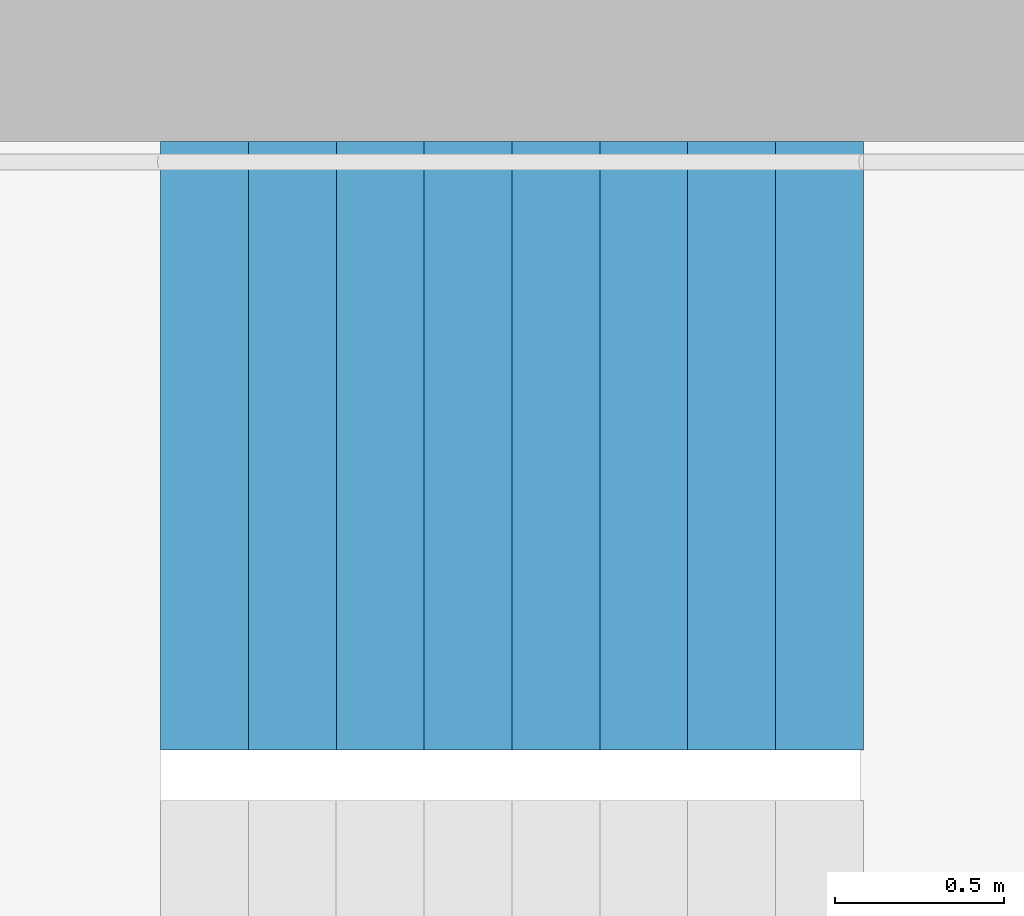
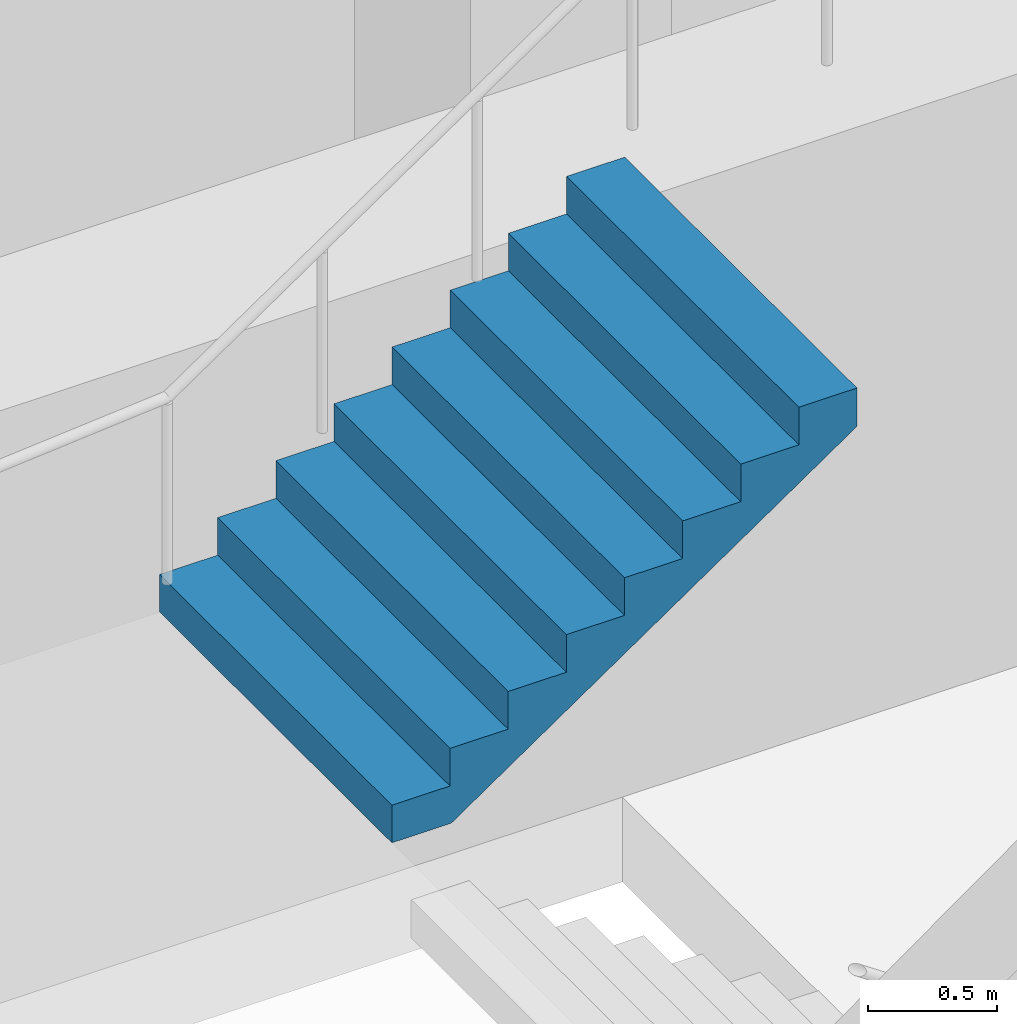
# One storey, part 26 of 33: 1 stair flight, 1 element without a shape of its own.
"""IFC4 building model written with IfcOpenShell, lengths in metres."""

from ifc_helpers import new_model, si_unit, direction, frame, origin, place, context, subcontext, project, spatial, triangles, material, type_object, element, aggregate, save


model = new_model("IFC4")

# Units and contexts
model_context = context("Model", 3, precision=1e-05, world=origin(), true_north=direction((0.0, 1.0)))
body_context = subcontext(model_context, "Body", "Model", "MODEL_VIEW")
ifc_project = project(units=[si_unit("LENGTHUNIT", "METRE"), si_unit("AREAUNIT", "SQUARE_METRE"), si_unit("VOLUMEUNIT", "CUBIC_METRE"), si_unit("PLANEANGLEUNIT", "RADIAN"), si_unit("MASSUNIT", "GRAM", prefix="KILO")], contexts=[model_context])

# Site, building, storey
site_placement = place(None, origin())
site = spatial("IfcSite", under=ifc_project, at=site_placement, CompositionType="ELEMENT")
building_placement = place(site_placement, origin())
building = spatial("IfcBuilding", under=site, at=building_placement, Name="Hakoniwa Tower and Hamabe Station Hall", CompositionType="ELEMENT")
storey_placement = place(building_placement, frame((0.0, 0.0, 81.800048828125)))
storey = spatial("IfcBuildingStorey", under=building, at=storey_placement, Name="L22", CompositionType="ELEMENT", Elevation=81.800048828125)

# Stair, stair flight
ifc_material_1 = material(Name="Concrete C40", Category="concrete")
stair_type = type_object("IfcStairType", Name="ESCAPE STAIR 1800", PredefinedType="HALF_TURN_STAIR", material=ifc_material_1)
stair_placement = place(storey_placement, origin())
stair = element("IfcStair", 1, at=stair_placement, inside=storey, type_object=stair_type, Name="Escape stair ST-3 L22", PredefinedType="HALF_TURN_STAIR")
ifc_material_2 = material(Name="Concrete C40", Category="concrete")
stair_flight_type = type_object("IfcStairFlightType", Name="STAIR FLIGHT 1800", PredefinedType="STRAIGHT", material=ifc_material_2)
stair_flight_placement = place(storey_placement, frame((22.320068359375, 6.60009765625, 1.599853515625), z_axis=(0.0, 0.0, 1.0), x_axis=(1.0, 0.0, 0.0)))
stair_flight = element("IfcStairFlight", 2, at=stair_flight_placement, type_object=stair_flight_type, Name="ST-3 flight 2", NumberOfRisers=9, NumberOfTreads=8, PredefinedType="STRAIGHT", RiserHeight=0.177777778, TreadLength=0.26, context=body_context, shape_type="Tessellation", body=[
    triangles([(0.0, 0.89990234375, 0.0), (0.260009765625, 0.89990234375, 0.0), (0.265625, 0.89990234375, 0.0), (0.52001953125, 0.89990234375, 0.174072265625), (0.780029296875, 0.89990234375, 0.351806640625), (1.0400390625, 0.89990234375, 0.529541015625), (1.300048828125, 0.89990234375, 0.707275390625), (1.56005859375, 0.89990234375, 0.885009765625), (1.820068359375, 0.89990234375, 1.062744140625), (2.080078125, 0.89990234375, 1.24072265625), (2.080078125, 0.89990234375, 1.422119140625), (1.820068359375, 0.89990234375, 1.422119140625), (1.820068359375, 0.89990234375, 1.244384765625), (1.56005859375, 0.89990234375, 1.244384765625), (1.56005859375, 0.89990234375, 1.066650390625), (1.300048828125, 0.89990234375, 1.066650390625), (1.300048828125, 0.89990234375, 0.888916015625), (1.0400390625, 0.89990234375, 0.888916015625), (1.0400390625, 0.89990234375, 0.711181640625), (0.780029296875, 0.89990234375, 0.711181640625), (0.780029296875, 0.89990234375, 0.533447265625), (0.52001953125, 0.89990234375, 0.533447265625), (0.52001953125, 0.89990234375, 0.35546875), (0.265625, 0.89990234375, 0.35546875), (0.260009765625, 0.89990234375, 0.35546875), (0.260009765625, 0.89990234375, 0.177734375), (0.0, 0.89990234375, 0.177734375), (0.0, 0.06005859375, 0.0), (0.260009765625, 0.06005859375, 0.0), (0.265625, 0.06005859375, 0.0), (0.52001953125, 0.06005859375, 0.174072265625), (0.780029296875, 0.06005859375, 0.351806640625), (1.0400390625, 0.06005859375, 0.529541015625), (1.300048828125, 0.06005859375, 0.707275390625), (1.56005859375, 0.06005859375, 0.885009765625), (1.820068359375, 0.06005859375, 1.062744140625), (2.080078125, 0.06005859375, 1.24072265625), (2.080078125, 0.06005859375, 1.422119140625), (1.820068359375, 0.06005859375, 1.422119140625), (1.820068359375, 0.06005859375, 1.244384765625), (1.56005859375, 0.06005859375, 1.244384765625), (1.56005859375, 0.06005859375, 1.066650390625), (1.300048828125, 0.06005859375, 1.066650390625), (1.300048828125, 0.06005859375, 0.888916015625), (1.0400390625, 0.06005859375, 0.888916015625), (1.0400390625, 0.06005859375, 0.711181640625), (0.780029296875, 0.06005859375, 0.711181640625), (0.780029296875, 0.06005859375, 0.533447265625), (0.52001953125, 0.06005859375, 0.533447265625), (0.52001953125, 0.06005859375, 0.35546875), (0.265625, 0.06005859375, 0.35546875), (0.260009765625, 0.06005859375, 0.35546875), (0.260009765625, 0.06005859375, 0.177734375), (0.0, 0.06005859375, 0.177734375), (0.0, 0.04296875, 0.0), (0.260009765625, 0.04296875, 0.0), (0.265625, 0.04296875, 0.0), (0.52001953125, 0.04296875, 0.174072265625), (0.780029296875, 0.04296875, 0.351806640625), (1.0400390625, 0.04296875, 0.529541015625), (1.300048828125, 0.04296875, 0.707275390625), (1.56005859375, 0.04296875, 0.885009765625), (1.820068359375, 0.04296875, 1.062744140625), (2.080078125, 0.04296875, 1.24072265625), (2.080078125, 0.04296875, 1.422119140625), (1.820068359375, 0.04296875, 1.422119140625), (1.820068359375, 0.04296875, 1.244384765625), (1.56005859375, 0.04296875, 1.244384765625), (1.56005859375, 0.04296875, 1.066650390625), (1.300048828125, 0.04296875, 1.066650390625), (1.300048828125, 0.04296875, 0.888916015625), (1.0400390625, 0.04296875, 0.888916015625), (1.0400390625, 0.04296875, 0.711181640625), (0.780029296875, 0.04296875, 0.711181640625), (0.780029296875, 0.04296875, 0.533447265625), (0.52001953125, 0.04296875, 0.533447265625), (0.52001953125, 0.04296875, 0.35546875), (0.265625, 0.04296875, 0.35546875), (0.260009765625, 0.04296875, 0.35546875), (0.260009765625, 0.04296875, 0.177734375), (0.0, 0.04296875, 0.177734375), (0.0, 0.025634765625, 0.0), (0.260009765625, 0.025634765625, 0.0), (0.265625, 0.025634765625, 0.0), (0.52001953125, 0.025634765625, 0.174072265625), (0.780029296875, 0.025634765625, 0.351806640625), (1.0400390625, 0.025634765625, 0.529541015625), (1.300048828125, 0.025634765625, 0.707275390625), (1.56005859375, 0.025634765625, 0.885009765625), (1.820068359375, 0.025634765625, 1.062744140625), (2.080078125, 0.025634765625, 1.24072265625), (2.080078125, 0.025634765625, 1.422119140625), (1.820068359375, 0.025634765625, 1.422119140625), (1.820068359375, 0.025634765625, 1.244384765625), (1.56005859375, 0.025634765625, 1.244384765625), (1.56005859375, 0.025634765625, 1.066650390625), (1.300048828125, 0.025634765625, 1.066650390625), (1.300048828125, 0.025634765625, 0.888916015625), (1.0400390625, 0.025634765625, 0.888916015625), (1.0400390625, 0.025634765625, 0.711181640625), (0.780029296875, 0.025634765625, 0.711181640625), (0.780029296875, 0.025634765625, 0.533447265625), (0.52001953125, 0.025634765625, 0.533447265625), (0.52001953125, 0.025634765625, 0.35546875), (0.265625, 0.025634765625, 0.35546875), (0.260009765625, 0.025634765625, 0.35546875), (0.260009765625, 0.025634765625, 0.177734375), (0.0, 0.025634765625, 0.177734375), (0.0, 0.008544921875, 0.0), (0.260009765625, 0.008544921875, 0.0), (0.265625, 0.008544921875, 0.0), (0.52001953125, 0.008544921875, 0.174072265625), (0.780029296875, 0.008544921875, 0.351806640625), (1.0400390625, 0.008544921875, 0.529541015625), (1.300048828125, 0.008544921875, 0.707275390625), (1.56005859375, 0.008544921875, 0.885009765625), (1.820068359375, 0.008544921875, 1.062744140625), (2.080078125, 0.008544921875, 1.24072265625), (2.080078125, 0.008544921875, 1.422119140625), (1.820068359375, 0.008544921875, 1.422119140625), (1.820068359375, 0.008544921875, 1.244384765625), (1.56005859375, 0.008544921875, 1.244384765625), (1.56005859375, 0.008544921875, 1.066650390625), (1.300048828125, 0.008544921875, 1.066650390625), (1.300048828125, 0.008544921875, 0.888916015625), (1.0400390625, 0.008544921875, 0.888916015625), (1.0400390625, 0.008544921875, 0.711181640625), (0.780029296875, 0.008544921875, 0.711181640625), (0.780029296875, 0.008544921875, 0.533447265625), (0.52001953125, 0.008544921875, 0.533447265625), (0.52001953125, 0.008544921875, 0.35546875), (0.265625, 0.008544921875, 0.35546875), (0.260009765625, 0.008544921875, 0.35546875), (0.260009765625, 0.008544921875, 0.177734375), (0.0, 0.008544921875, 0.177734375), (0.0, -0.008544921875, 0.0), (0.260009765625, -0.008544921875, 0.0), (0.265625, -0.008544921875, 0.0), (0.52001953125, -0.008544921875, 0.174072265625), (0.780029296875, -0.008544921875, 0.351806640625), (1.0400390625, -0.008544921875, 0.529541015625), (1.300048828125, -0.008544921875, 0.707275390625), (1.56005859375, -0.008544921875, 0.885009765625), (1.820068359375, -0.008544921875, 1.062744140625), (2.080078125, -0.008544921875, 1.24072265625), (2.080078125, -0.008544921875, 1.422119140625), (1.820068359375, -0.008544921875, 1.422119140625), (1.820068359375, -0.008544921875, 1.244384765625), (1.56005859375, -0.008544921875, 1.244384765625), (1.56005859375, -0.008544921875, 1.066650390625), (1.300048828125, -0.008544921875, 1.066650390625), (1.300048828125, -0.008544921875, 0.888916015625), (1.0400390625, -0.008544921875, 0.888916015625), (1.0400390625, -0.008544921875, 0.711181640625), (0.780029296875, -0.008544921875, 0.711181640625), (0.780029296875, -0.008544921875, 0.533447265625), (0.52001953125, -0.008544921875, 0.533447265625), (0.52001953125, -0.008544921875, 0.35546875), (0.265625, -0.008544921875, 0.35546875), (0.260009765625, -0.008544921875, 0.35546875), (0.260009765625, -0.008544921875, 0.177734375), (0.0, -0.008544921875, 0.177734375), (0.0, -0.025634765625, 0.0), (0.260009765625, -0.025634765625, 0.0), (0.265625, -0.025634765625, 0.0), (0.52001953125, -0.025634765625, 0.174072265625), (0.780029296875, -0.025634765625, 0.351806640625), (1.0400390625, -0.025634765625, 0.529541015625), (1.300048828125, -0.025634765625, 0.707275390625), (1.56005859375, -0.025634765625, 0.885009765625), (1.820068359375, -0.025634765625, 1.062744140625), (2.080078125, -0.025634765625, 1.24072265625), (2.080078125, -0.025634765625, 1.422119140625), (1.820068359375, -0.025634765625, 1.422119140625), (1.820068359375, -0.025634765625, 1.244384765625), (1.56005859375, -0.025634765625, 1.244384765625), (1.56005859375, -0.025634765625, 1.066650390625), (1.300048828125, -0.025634765625, 1.066650390625), (1.300048828125, -0.025634765625, 0.888916015625), (1.0400390625, -0.025634765625, 0.888916015625), (1.0400390625, -0.025634765625, 0.711181640625), (0.780029296875, -0.025634765625, 0.711181640625), (0.780029296875, -0.025634765625, 0.533447265625), (0.52001953125, -0.025634765625, 0.533447265625), (0.52001953125, -0.025634765625, 0.35546875), (0.265625, -0.025634765625, 0.35546875), (0.260009765625, -0.025634765625, 0.35546875), (0.260009765625, -0.025634765625, 0.177734375), (0.0, -0.025634765625, 0.177734375), (0.0, -0.04296875, 0.0), (0.260009765625, -0.04296875, 0.0), (0.265625, -0.04296875, 0.0), (0.52001953125, -0.04296875, 0.174072265625), (0.780029296875, -0.04296875, 0.351806640625), (1.0400390625, -0.04296875, 0.529541015625), (1.300048828125, -0.04296875, 0.707275390625), (1.56005859375, -0.04296875, 0.885009765625), (1.820068359375, -0.04296875, 1.062744140625), (2.080078125, -0.04296875, 1.24072265625), (2.080078125, -0.04296875, 1.422119140625), (1.820068359375, -0.04296875, 1.422119140625), (1.820068359375, -0.04296875, 1.244384765625), (1.56005859375, -0.04296875, 1.244384765625), (1.56005859375, -0.04296875, 1.066650390625), (1.300048828125, -0.04296875, 1.066650390625), (1.300048828125, -0.04296875, 0.888916015625), (1.0400390625, -0.04296875, 0.888916015625), (1.0400390625, -0.04296875, 0.711181640625), (0.780029296875, -0.04296875, 0.711181640625), (0.780029296875, -0.04296875, 0.533447265625), (0.52001953125, -0.04296875, 0.533447265625), (0.52001953125, -0.04296875, 0.35546875), (0.265625, -0.04296875, 0.35546875), (0.260009765625, -0.04296875, 0.35546875), (0.260009765625, -0.04296875, 0.177734375), (0.0, -0.04296875, 0.177734375), (0.0, -0.06005859375, 0.0), (0.260009765625, -0.06005859375, 0.0), (0.265625, -0.06005859375, 0.0), (0.52001953125, -0.06005859375, 0.174072265625), (0.780029296875, -0.06005859375, 0.351806640625), (1.0400390625, -0.06005859375, 0.529541015625), (1.300048828125, -0.06005859375, 0.707275390625), (1.56005859375, -0.06005859375, 0.885009765625), (1.820068359375, -0.06005859375, 1.062744140625), (2.080078125, -0.06005859375, 1.24072265625), (2.080078125, -0.06005859375, 1.422119140625), (1.820068359375, -0.06005859375, 1.422119140625), (1.820068359375, -0.06005859375, 1.244384765625), (1.56005859375, -0.06005859375, 1.244384765625), (1.56005859375, -0.06005859375, 1.066650390625), (1.300048828125, -0.06005859375, 1.066650390625), (1.300048828125, -0.06005859375, 0.888916015625), (1.0400390625, -0.06005859375, 0.888916015625), (1.0400390625, -0.06005859375, 0.711181640625), (0.780029296875, -0.06005859375, 0.711181640625), (0.780029296875, -0.06005859375, 0.533447265625), (0.52001953125, -0.06005859375, 0.533447265625), (0.52001953125, -0.06005859375, 0.35546875), (0.265625, -0.06005859375, 0.35546875), (0.260009765625, -0.06005859375, 0.35546875), (0.260009765625, -0.06005859375, 0.177734375), (0.0, -0.06005859375, 0.177734375), (0.0, -0.89990234375, 0.0), (0.260009765625, -0.89990234375, 0.0), (0.265625, -0.89990234375, 0.0), (0.52001953125, -0.89990234375, 0.174072265625), (0.780029296875, -0.89990234375, 0.351806640625), (1.0400390625, -0.89990234375, 0.529541015625), (1.300048828125, -0.89990234375, 0.707275390625), (1.56005859375, -0.89990234375, 0.885009765625), (1.820068359375, -0.89990234375, 1.062744140625), (2.080078125, -0.89990234375, 1.24072265625), (2.080078125, -0.89990234375, 1.422119140625), (1.820068359375, -0.89990234375, 1.422119140625), (1.820068359375, -0.89990234375, 1.244384765625), (1.56005859375, -0.89990234375, 1.244384765625), (1.56005859375, -0.89990234375, 1.066650390625), (1.300048828125, -0.89990234375, 1.066650390625), (1.300048828125, -0.89990234375, 0.888916015625), (1.0400390625, -0.89990234375, 0.888916015625), (1.0400390625, -0.89990234375, 0.711181640625), (0.780029296875, -0.89990234375, 0.711181640625), (0.780029296875, -0.89990234375, 0.533447265625), (0.52001953125, -0.89990234375, 0.533447265625), (0.52001953125, -0.89990234375, 0.35546875), (0.265625, -0.89990234375, 0.35546875), (0.260009765625, -0.89990234375, 0.35546875), (0.260009765625, -0.89990234375, 0.177734375), (0.0, -0.89990234375, 0.177734375)], [[2, 27, 26], [245, 269, 270], [2, 1, 27], [245, 270, 244], [3, 25, 24], [246, 267, 268], [3, 26, 25], [246, 268, 269], [3, 2, 26], [246, 269, 245], [4, 24, 23], [247, 266, 267], [4, 3, 24], [247, 267, 246], [5, 22, 21], [248, 264, 265], [5, 23, 22], [248, 265, 266], [5, 4, 23], [248, 266, 247], [6, 20, 19], [249, 262, 263], [6, 21, 20], [249, 263, 264], [6, 5, 21], [249, 264, 248], [7, 18, 17], [250, 260, 261], [7, 19, 18], [250, 261, 262], [7, 6, 19], [250, 262, 249], [8, 16, 15], [251, 258, 259], [8, 17, 16], [251, 259, 260], [8, 7, 17], [251, 260, 250], [9, 14, 13], [252, 256, 257], [9, 15, 14], [252, 257, 258], [9, 8, 15], [252, 258, 251], [10, 12, 11], [253, 254, 255], [10, 13, 12], [253, 255, 256], [10, 9, 13], [253, 256, 252], [1, 2, 29], [1, 29, 28], [28, 29, 56], [28, 56, 55], [55, 56, 83], [55, 83, 82], [82, 83, 110], [82, 110, 109], [109, 110, 137], [109, 137, 136], [136, 137, 164], [136, 164, 163], [163, 164, 191], [163, 191, 190], [190, 191, 218], [190, 218, 217], [217, 218, 245], [217, 245, 244], [2, 3, 30], [2, 30, 29], [29, 30, 57], [29, 57, 56], [56, 57, 84], [56, 84, 83], [83, 84, 111], [83, 111, 110], [110, 111, 138], [110, 138, 137], [137, 138, 165], [137, 165, 164], [164, 165, 192], [164, 192, 191], [191, 192, 219], [191, 219, 218], [218, 219, 246], [218, 246, 245], [3, 4, 31], [3, 31, 30], [30, 31, 58], [30, 58, 57], [57, 58, 85], [57, 85, 84], [84, 85, 112], [84, 112, 111], [111, 112, 139], [111, 139, 138], [138, 139, 166], [138, 166, 165], [165, 166, 193], [165, 193, 192], [192, 193, 220], [192, 220, 219], [219, 220, 247], [219, 247, 246], [4, 5, 32], [4, 32, 31], [31, 32, 59], [31, 59, 58], [58, 59, 86], [58, 86, 85], [85, 86, 113], [85, 113, 112], [112, 113, 140], [112, 140, 139], [139, 140, 167], [139, 167, 166], [166, 167, 194], [166, 194, 193], [193, 194, 221], [193, 221, 220], [220, 221, 248], [220, 248, 247], [5, 6, 33], [5, 33, 32], [32, 33, 60], [32, 60, 59], [59, 60, 87], [59, 87, 86], [86, 87, 114], [86, 114, 113], [113, 114, 141], [113, 141, 140], [140, 141, 168], [140, 168, 167], [167, 168, 195], [167, 195, 194], [194, 195, 222], [194, 222, 221], [221, 222, 249], [221, 249, 248], [6, 7, 34], [6, 34, 33], [33, 34, 61], [33, 61, 60], [60, 61, 88], [60, 88, 87], [87, 88, 115], [87, 115, 114], [114, 115, 142], [114, 142, 141], [141, 142, 169], [141, 169, 168], [168, 169, 196], [168, 196, 195], [195, 196, 223], [195, 223, 222], [222, 223, 250], [222, 250, 249], [7, 8, 35], [7, 35, 34], [34, 35, 62], [34, 62, 61], [61, 62, 89], [61, 89, 88], [88, 89, 116], [88, 116, 115], [115, 116, 143], [115, 143, 142], [142, 143, 170], [142, 170, 169], [169, 170, 197], [169, 197, 196], [196, 197, 224], [196, 224, 223], [223, 224, 251], [223, 251, 250], [8, 9, 36], [8, 36, 35], [35, 36, 63], [35, 63, 62], [62, 63, 90], [62, 90, 89], [89, 90, 117], [89, 117, 116], [116, 117, 144], [116, 144, 143], [143, 144, 171], [143, 171, 170], [170, 171, 198], [170, 198, 197], [197, 198, 225], [197, 225, 224], [224, 225, 252], [224, 252, 251], [9, 10, 37], [9, 37, 36], [36, 37, 64], [36, 64, 63], [63, 64, 91], [63, 91, 90], [90, 91, 118], [90, 118, 117], [117, 118, 145], [117, 145, 144], [144, 145, 172], [144, 172, 171], [171, 172, 199], [171, 199, 198], [198, 199, 226], [198, 226, 225], [225, 226, 253], [225, 253, 252], [10, 11, 38], [10, 38, 37], [37, 38, 65], [37, 65, 64], [64, 65, 92], [64, 92, 91], [91, 92, 119], [91, 119, 118], [118, 119, 146], [118, 146, 145], [145, 146, 173], [145, 173, 172], [172, 173, 200], [172, 200, 199], [199, 200, 227], [199, 227, 226], [226, 227, 254], [226, 254, 253], [11, 12, 39], [11, 39, 38], [38, 39, 66], [38, 66, 65], [65, 66, 93], [65, 93, 92], [92, 93, 120], [92, 120, 119], [119, 120, 147], [119, 147, 146], [146, 147, 174], [146, 174, 173], [173, 174, 201], [173, 201, 200], [200, 201, 228], [200, 228, 227], [227, 228, 255], [227, 255, 254], [12, 13, 40], [12, 40, 39], [39, 40, 67], [39, 67, 66], [66, 67, 94], [66, 94, 93], [93, 94, 121], [93, 121, 120], [120, 121, 148], [120, 148, 147], [147, 148, 175], [147, 175, 174], [174, 175, 202], [174, 202, 201], [201, 202, 229], [201, 229, 228], [228, 229, 256], [228, 256, 255], [13, 14, 41], [13, 41, 40], [40, 41, 68], [40, 68, 67], [67, 68, 95], [67, 95, 94], [94, 95, 122], [94, 122, 121], [121, 122, 149], [121, 149, 148], [148, 149, 176], [148, 176, 175], [175, 176, 203], [175, 203, 202], [202, 203, 230], [202, 230, 229], [229, 230, 257], [229, 257, 256], [14, 15, 42], [14, 42, 41], [41, 42, 69], [41, 69, 68], [68, 69, 96], [68, 96, 95], [95, 96, 123], [95, 123, 122], [122, 123, 150], [122, 150, 149], [149, 150, 177], [149, 177, 176], [176, 177, 204], [176, 204, 203], [203, 204, 231], [203, 231, 230], [230, 231, 258], [230, 258, 257], [15, 16, 43], [15, 43, 42], [42, 43, 70], [42, 70, 69], [69, 70, 97], [69, 97, 96], [96, 97, 124], [96, 124, 123], [123, 124, 151], [123, 151, 150], [150, 151, 178], [150, 178, 177], [177, 178, 205], [177, 205, 204], [204, 205, 232], [204, 232, 231], [231, 232, 259], [231, 259, 258], [16, 17, 44], [16, 44, 43], [43, 44, 71], [43, 71, 70], [70, 71, 98], [70, 98, 97], [97, 98, 125], [97, 125, 124], [124, 125, 152], [124, 152, 151], [151, 152, 179], [151, 179, 178], [178, 179, 206], [178, 206, 205], [205, 206, 233], [205, 233, 232], [232, 233, 260], [232, 260, 259], [17, 18, 45], [17, 45, 44], [44, 45, 72], [44, 72, 71], [71, 72, 99], [71, 99, 98], [98, 99, 126], [98, 126, 125], [125, 126, 153], [125, 153, 152], [152, 153, 180], [152, 180, 179], [179, 180, 207], [179, 207, 206], [206, 207, 234], [206, 234, 233], [233, 234, 261], [233, 261, 260], [18, 19, 46], [18, 46, 45], [45, 46, 73], [45, 73, 72], [72, 73, 100], [72, 100, 99], [99, 100, 127], [99, 127, 126], [126, 127, 154], [126, 154, 153], [153, 154, 181], [153, 181, 180], [180, 181, 208], [180, 208, 207], [207, 208, 235], [207, 235, 234], [234, 235, 262], [234, 262, 261], [19, 20, 47], [19, 47, 46], [46, 47, 74], [46, 74, 73], [73, 74, 101], [73, 101, 100], [100, 101, 128], [100, 128, 127], [127, 128, 155], [127, 155, 154], [154, 155, 182], [154, 182, 181], [181, 182, 209], [181, 209, 208], [208, 209, 236], [208, 236, 235], [235, 236, 263], [235, 263, 262], [20, 21, 48], [20, 48, 47], [47, 48, 75], [47, 75, 74], [74, 75, 102], [74, 102, 101], [101, 102, 129], [101, 129, 128], [128, 129, 156], [128, 156, 155], [155, 156, 183], [155, 183, 182], [182, 183, 210], [182, 210, 209], [209, 210, 237], [209, 237, 236], [236, 237, 264], [236, 264, 263], [21, 22, 49], [21, 49, 48], [48, 49, 76], [48, 76, 75], [75, 76, 103], [75, 103, 102], [102, 103, 130], [102, 130, 129], [129, 130, 157], [129, 157, 156], [156, 157, 184], [156, 184, 183], [183, 184, 211], [183, 211, 210], [210, 211, 238], [210, 238, 237], [237, 238, 265], [237, 265, 264], [22, 23, 50], [22, 50, 49], [49, 50, 77], [49, 77, 76], [76, 77, 104], [76, 104, 103], [103, 104, 131], [103, 131, 130], [130, 131, 158], [130, 158, 157], [157, 158, 185], [157, 185, 184], [184, 185, 212], [184, 212, 211], [211, 212, 239], [211, 239, 238], [238, 239, 266], [238, 266, 265], [23, 24, 51], [23, 51, 50], [50, 51, 78], [50, 78, 77], [77, 78, 105], [77, 105, 104], [104, 105, 132], [104, 132, 131], [131, 132, 159], [131, 159, 158], [158, 159, 186], [158, 186, 185], [185, 186, 213], [185, 213, 212], [212, 213, 240], [212, 240, 239], [239, 240, 267], [239, 267, 266], [24, 25, 52], [24, 52, 51], [51, 52, 79], [51, 79, 78], [78, 79, 106], [78, 106, 105], [105, 106, 133], [105, 133, 132], [132, 133, 160], [132, 160, 159], [159, 160, 187], [159, 187, 186], [186, 187, 214], [186, 214, 213], [213, 214, 241], [213, 241, 240], [240, 241, 268], [240, 268, 267], [25, 26, 53], [25, 53, 52], [52, 53, 80], [52, 80, 79], [79, 80, 107], [79, 107, 106], [106, 107, 134], [106, 134, 133], [133, 134, 161], [133, 161, 160], [160, 161, 188], [160, 188, 187], [187, 188, 215], [187, 215, 214], [214, 215, 242], [214, 242, 241], [241, 242, 269], [241, 269, 268], [26, 27, 54], [26, 54, 53], [53, 54, 81], [53, 81, 80], [80, 81, 108], [80, 108, 107], [107, 108, 135], [107, 135, 134], [134, 135, 162], [134, 162, 161], [161, 162, 189], [161, 189, 188], [188, 189, 216], [188, 216, 215], [215, 216, 243], [215, 243, 242], [242, 243, 270], [242, 270, 269], [27, 1, 28], [27, 28, 54], [54, 28, 55], [54, 55, 81], [81, 55, 82], [81, 82, 108], [108, 82, 109], [108, 109, 135], [135, 109, 136], [135, 136, 162], [162, 136, 163], [162, 163, 189], [189, 163, 190], [189, 190, 216], [216, 190, 217], [216, 217, 243], [243, 217, 244], [243, 244, 270]], closed=True),
])
aggregate(stair, [stair_flight])

save(model, "model.ifc")
